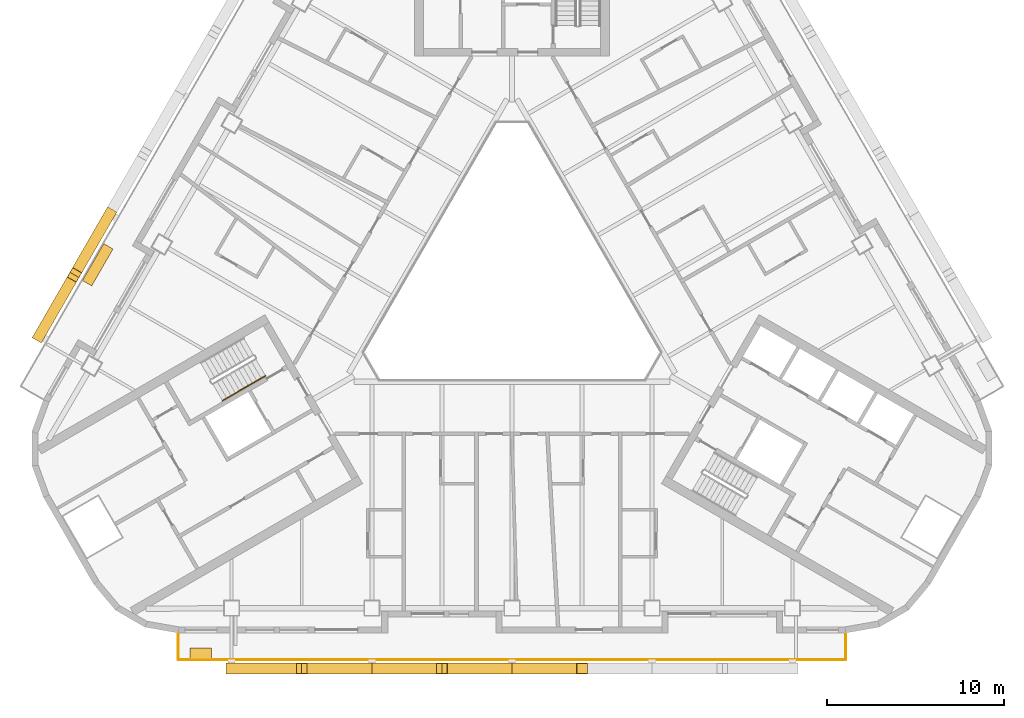
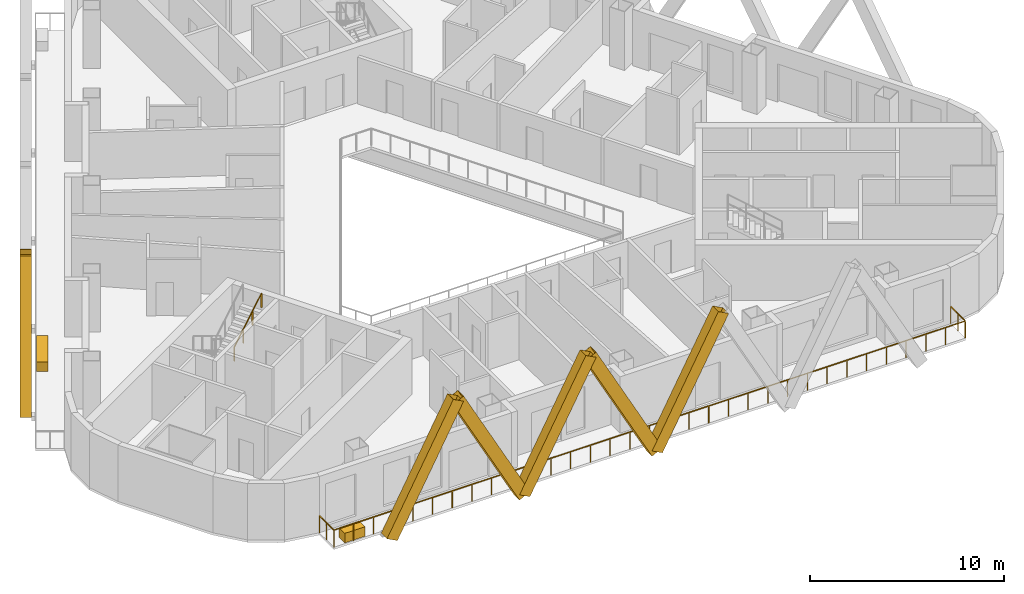
# One storey, part 9 of 14: 7 shading devices, 2 coverings, 2 railings.
"""IFC4 building model written with IfcOpenShell, lengths in metres."""

from ifc_helpers import new_model, si_unit, direction, frame, origin, origin_2d, place, context, subcontext, project, spatial, rectangle, hollow_rectangle, circle, extrude, material, material_profile, profile_set, type_object, element, save


model = new_model("IFC4")

# Units and contexts
model_context = context("Model", 3, precision=1e-05, world=origin(), true_north=direction((0.0, 1.0)))
body_context = subcontext(model_context, "Body", "Model", "MODEL_VIEW")
ifc_project = project(units=[si_unit("LENGTHUNIT", "METRE"), si_unit("AREAUNIT", "SQUARE_METRE"), si_unit("VOLUMEUNIT", "CUBIC_METRE"), si_unit("PLANEANGLEUNIT", "RADIAN"), si_unit("MASSUNIT", "GRAM", prefix="KILO")], contexts=[model_context])

# Site, building, storey
site_placement = place(None, origin())
site = spatial("IfcSite", under=ifc_project, at=site_placement, CompositionType="ELEMENT")
building_placement = place(site_placement, origin())
building = spatial("IfcBuilding", under=site, at=building_placement, Name="Apuvela Tower Hotel", CompositionType="ELEMENT")
storey_placement = place(building_placement, frame((0.0, 0.0, 90.89990234375)))
storey = spatial("IfcBuildingStorey", under=building, at=storey_placement, Name="L20", CompositionType="ELEMENT", Elevation=90.89990234375)

# Railing
ifc_material_1 = material(Name="Stainless steel 316 handrail", Category="steel")
railing_type_1 = type_object("IfcRailingType", Name="COR-HANDRAIL-900", PredefinedType="HANDRAIL", material=ifc_material_1)
railing_1_placement = place(storey_placement, frame((-16.31884765625, -6.534912109375, 2.018310546875)))
element("IfcRailing", 1, at=railing_1_placement, inside=storey, type_object=railing_type_1, Name="L20 ST2 stair handrail 2", PredefinedType="HANDRAIL", context=body_context, shape_type="SweptSolid", body=[
    extrude(circle(Radius=0.02392578125, at=origin_2d()), frame((0.0, 0.0, 0.8759765625), z_axis=(0.742390482028, 0.42860119049, 0.514934356695), x_axis=(-0.49998411664, 0.866034573852, 0.0)), (0.0, 0.0, 1.0), 3.26611328125),
    extrude(rectangle(XDim=0.0419921875, YDim=0.0419921875, at=origin_2d()), origin(), (0.0, 0.0, 1.0), 0.851806640625),
    extrude(rectangle(XDim=0.0419921875, YDim=0.0419921875, at=origin_2d()), frame((0.808349609375, 0.466552734375, 0.560546875)), (0.0, 0.0, 1.0), 0.851806640625),
    extrude(rectangle(XDim=0.0419921875, YDim=0.0419921875, at=origin_2d()), frame((1.616455078125, 0.933349609375, 1.121337890625)), (0.0, 0.0, 1.0), 0.851806640625),
    extrude(rectangle(XDim=0.0419921875, YDim=0.0419921875, at=origin_2d()), frame((2.4248046875, 1.39990234375, 1.681884765625)), (0.0, 0.0, 1.0), 0.851806640625),
])

# Shading devices
ifc_material_2 = material(Name="Aluminium 6063-T6, black anodised", Category="aluminium")
ifc_material_profile = material_profile(ifc_material_2, hollow_rectangle(XDim=0.60009765625, YDim=0.699951171875, WallThickness=0.011962890625, at=origin_2d()), Name="AL BOX 700x600x12")
ifc_profile_set = profile_set([ifc_material_profile], Name="Aluminium 6063-T6, black anodised")
shading_device_type = type_object("IfcShadingDeviceType", Name="ENV-FIN-700x600", PredefinedType="USERDEFINED", material=ifc_profile_set)
for number, where, z_axis, x_axis, name in (
    (2, (-15.800048828125, -21.6298828125, -0.099853515625), (0.470897892863, 0.0, 0.882187720668), (0.0, 1.0, 0.0), "Lattice fin S145"),
    (3, (-7.89990234375, -21.6298828125, -0.099853515625), (-0.470920543904, 0.0, 0.882175629526), (0.0, -1.0, 0.0), "Lattice fin S146"),
    (4, (-7.89990234375, -21.6298828125, -0.099853515625), (0.470897892863, 0.0, 0.882187720668), (0.0, 1.0, 0.0), "Lattice fin S147"),
    (5, (0.0, -21.6298828125, -0.099853515625), (-0.470897892863, 0.0, 0.882187720668), (0.0, -1.0, 0.0), "Lattice fin S148"),
    (6, (0.0, -21.6298828125, -0.099853515625), (0.470897892863, 0.0, 0.882187720668), (0.0, 1.0, 0.0), "Lattice fin S149"),
    (7, (-22.68212890625, 3.973388671875, -0.099853515625), (-0.235433593518, -0.407824887177, 0.882184722404), (0.866047669374, -0.499961432884, 0.0), "Lattice fin NW247"),
    (8, (-26.632080078125, -2.8681640625, -0.099853515625), (0.235463880167, 0.407797827568, 0.882189148067), (-0.866005453737, 0.500034552904, 0.0), "Lattice fin NW248"),
):
    element("IfcShadingDevice", number, at=place(storey_placement, frame(where, z_axis=z_axis, x_axis=x_axis)), inside=storey, type_object=shading_device_type, Name=name, ObjectType="FIN", PredefinedType="USERDEFINED", context=body_context, shape_type="SweptSolid", body=[
        extrude(hollow_rectangle(XDim=0.60009765625, YDim=0.699951171875, WallThickness=0.011962890625, at=origin_2d()), origin(), (0.0, 0.0, 1.0), 8.38818359375),
    ])

# Railing
ifc_material_3 = material(Name="Stainless steel 316 rail with laminated glass infill", Category="steel")
railing_type_2 = type_object("IfcRailingType", Name="ENV-GUARD-1100", PredefinedType="GUARDRAIL", material=ifc_material_3)
railing_2_placement = place(storey_placement, frame((-18.81591796875, -19.6298828125, 0.0)))
element("IfcRailing", 9, at=railing_2_placement, inside=storey, type_object=railing_type_2, Name="Balcony guard S L20", PredefinedType="GUARDRAIL", context=body_context, shape_type="SweptSolid", body=[
    extrude(rectangle(XDim=0.050048828125, YDim=0.050048828125, at=origin_2d()), frame((0.0, 0.0, 1.0751953125), z_axis=(0.0, -1.0, 0.0), x_axis=(1.0, 0.0, 0.0)), (0.0, 0.0, 1.0), 1.5),
    extrude(rectangle(XDim=0.050048828125, YDim=0.050048828125, at=origin_2d()), frame((0.0, -1.5, 1.0751953125), z_axis=(1.0, 0.0, 0.0), x_axis=(0.0, 1.0, 0.0)), (0.0, 0.0, 1.0), 37.6318359375),
    extrude(rectangle(XDim=0.050048828125, YDim=0.050048828125, at=origin_2d()), frame((37.6318359375, -1.5, 1.0751953125), z_axis=(0.0, 1.0, 0.0), x_axis=(-1.0, 0.0, 0.0)), (0.0, 0.0, 1.0), 1.5),
    extrude(rectangle(XDim=0.0400390625, YDim=0.0400390625, at=origin_2d()), origin(), (0.0, 0.0, 1.0), 1.050048828125),
    extrude(rectangle(XDim=0.0400390625, YDim=0.0400390625, at=origin_2d()), frame((0.0, -0.75, 0.0)), (0.0, 0.0, 1.0), 1.050048828125),
    extrude(rectangle(XDim=0.0400390625, YDim=0.0400390625, at=origin_2d()), frame((0.0, -1.5, 0.0)), (0.0, 0.0, 1.0), 1.050048828125),
    extrude(rectangle(XDim=0.0400390625, YDim=0.0400390625, at=origin_2d()), frame((1.176025390625, -1.5, 0.0)), (0.0, 0.0, 1.0), 1.050048828125),
    extrude(rectangle(XDim=0.0400390625, YDim=0.0400390625, at=origin_2d()), frame((2.35205078125, -1.5, 0.0)), (0.0, 0.0, 1.0), 1.050048828125),
    extrude(rectangle(XDim=0.0400390625, YDim=0.0400390625, at=origin_2d()), frame((3.528076171875, -1.5, 0.0)), (0.0, 0.0, 1.0), 1.050048828125),
    extrude(rectangle(XDim=0.0400390625, YDim=0.0400390625, at=origin_2d()), frame((4.7041015625, -1.5, 0.0)), (0.0, 0.0, 1.0), 1.050048828125),
    extrude(rectangle(XDim=0.0400390625, YDim=0.0400390625, at=origin_2d()), frame((5.8798828125, -1.5, 0.0)), (0.0, 0.0, 1.0), 1.050048828125),
    extrude(rectangle(XDim=0.0400390625, YDim=0.0400390625, at=origin_2d()), frame((7.055908203125, -1.5, 0.0)), (0.0, 0.0, 1.0), 1.050048828125),
    extrude(rectangle(XDim=0.0400390625, YDim=0.0400390625, at=origin_2d()), frame((8.23193359375, -1.5, 0.0)), (0.0, 0.0, 1.0), 1.050048828125),
    extrude(rectangle(XDim=0.0400390625, YDim=0.0400390625, at=origin_2d()), frame((9.407958984375, -1.5, 0.0)), (0.0, 0.0, 1.0), 1.050048828125),
    extrude(rectangle(XDim=0.0400390625, YDim=0.0400390625, at=origin_2d()), frame((10.583984375, -1.5, 0.0)), (0.0, 0.0, 1.0), 1.050048828125),
    extrude(rectangle(XDim=0.0400390625, YDim=0.0400390625, at=origin_2d()), frame((11.760009765625, -1.5, 0.0)), (0.0, 0.0, 1.0), 1.050048828125),
    extrude(rectangle(XDim=0.0400390625, YDim=0.0400390625, at=origin_2d()), frame((12.93603515625, -1.5, 0.0)), (0.0, 0.0, 1.0), 1.050048828125),
    extrude(rectangle(XDim=0.0400390625, YDim=0.0400390625, at=origin_2d()), frame((14.11181640625, -1.5, 0.0)), (0.0, 0.0, 1.0), 1.050048828125),
    extrude(rectangle(XDim=0.0400390625, YDim=0.0400390625, at=origin_2d()), frame((15.287841796875, -1.5, 0.0)), (0.0, 0.0, 1.0), 1.050048828125),
    extrude(rectangle(XDim=0.0400390625, YDim=0.0400390625, at=origin_2d()), frame((16.4638671875, -1.5, 0.0)), (0.0, 0.0, 1.0), 1.050048828125),
    extrude(rectangle(XDim=0.0400390625, YDim=0.0400390625, at=origin_2d()), frame((17.639892578125, -1.5, 0.0)), (0.0, 0.0, 1.0), 1.050048828125),
    extrude(rectangle(XDim=0.0400390625, YDim=0.0400390625, at=origin_2d()), frame((18.81591796875, -1.5, 0.0)), (0.0, 0.0, 1.0), 1.050048828125),
    extrude(rectangle(XDim=0.0400390625, YDim=0.0400390625, at=origin_2d()), frame((19.991943359375, -1.5, 0.0)), (0.0, 0.0, 1.0), 1.050048828125),
    extrude(rectangle(XDim=0.0400390625, YDim=0.0400390625, at=origin_2d()), frame((21.16796875, -1.5, 0.0)), (0.0, 0.0, 1.0), 1.050048828125),
    extrude(rectangle(XDim=0.0400390625, YDim=0.0400390625, at=origin_2d()), frame((22.343994140625, -1.5, 0.0)), (0.0, 0.0, 1.0), 1.050048828125),
    extrude(rectangle(XDim=0.0400390625, YDim=0.0400390625, at=origin_2d()), frame((23.52001953125, -1.5, 0.0)), (0.0, 0.0, 1.0), 1.050048828125),
    extrude(rectangle(XDim=0.0400390625, YDim=0.0400390625, at=origin_2d()), frame((24.69580078125, -1.5, 0.0)), (0.0, 0.0, 1.0), 1.050048828125),
    extrude(rectangle(XDim=0.0400390625, YDim=0.0400390625, at=origin_2d()), frame((25.871826171875, -1.5, 0.0)), (0.0, 0.0, 1.0), 1.050048828125),
    extrude(rectangle(XDim=0.0400390625, YDim=0.0400390625, at=origin_2d()), frame((27.0478515625, -1.5, 0.0)), (0.0, 0.0, 1.0), 1.050048828125),
    extrude(rectangle(XDim=0.0400390625, YDim=0.0400390625, at=origin_2d()), frame((28.223876953125, -1.5, 0.0)), (0.0, 0.0, 1.0), 1.050048828125),
    extrude(rectangle(XDim=0.0400390625, YDim=0.0400390625, at=origin_2d()), frame((29.39990234375, -1.5, 0.0)), (0.0, 0.0, 1.0), 1.050048828125),
    extrude(rectangle(XDim=0.0400390625, YDim=0.0400390625, at=origin_2d()), frame((30.575927734375, -1.5, 0.0)), (0.0, 0.0, 1.0), 1.050048828125),
    extrude(rectangle(XDim=0.0400390625, YDim=0.0400390625, at=origin_2d()), frame((31.751953125, -1.5, 0.0)), (0.0, 0.0, 1.0), 1.050048828125),
    extrude(rectangle(XDim=0.0400390625, YDim=0.0400390625, at=origin_2d()), frame((32.927734375, -1.5, 0.0)), (0.0, 0.0, 1.0), 1.050048828125),
    extrude(rectangle(XDim=0.0400390625, YDim=0.0400390625, at=origin_2d()), frame((34.103759765625, -1.5, 0.0)), (0.0, 0.0, 1.0), 1.050048828125),
    extrude(rectangle(XDim=0.0400390625, YDim=0.0400390625, at=origin_2d()), frame((35.27978515625, -1.5, 0.0)), (0.0, 0.0, 1.0), 1.050048828125),
    extrude(rectangle(XDim=0.0400390625, YDim=0.0400390625, at=origin_2d()), frame((36.455810546875, -1.5, 0.0)), (0.0, 0.0, 1.0), 1.050048828125),
    extrude(rectangle(XDim=0.0400390625, YDim=0.0400390625, at=origin_2d()), frame((37.6318359375, -1.5, 0.0)), (0.0, 0.0, 1.0), 1.050048828125),
    extrude(rectangle(XDim=0.0400390625, YDim=0.0400390625, at=origin_2d()), frame((37.6318359375, -0.75, 0.0)), (0.0, 0.0, 1.0), 1.050048828125),
    extrude(rectangle(XDim=0.0400390625, YDim=0.0400390625, at=origin_2d()), frame((37.6318359375, 0.0, 0.0)), (0.0, 0.0, 1.0), 1.050048828125),
])

# Coverings
ifc_material_4 = material(Name="Planting substrate and soil, planted")
covering_type_1 = type_object("IfcCoveringType", Name="ENV-PLANTER-1200x600", PredefinedType="USERDEFINED", material=ifc_material_4)
covering_1_placement = place(storey_placement, frame((-17.53515625, -20.780029296875, 0.0), z_axis=(0.0, 0.0, 1.0), x_axis=(1.0, 0.0, 0.0)))
element("IfcCovering", 10, at=covering_1_placement, inside=storey, type_object=covering_type_1, Name="Planter S1", ObjectType="PLANTER", PredefinedType="USERDEFINED", context=body_context, shape_type="SweptSolid", body=[
    extrude(rectangle(XDim=1.199951171875, YDim=0.60009765625, at=origin_2d()), origin(), (0.0, 0.0, 1.0), 0.60009765625),
])
covering_type_2 = type_object("IfcCoveringType", Name="ENV-PLANTER-2400x600", PredefinedType="USERDEFINED", material=ifc_material_4)
covering_2_placement = place(storey_placement, frame((-23.345947265625, 1.12353515625, 0.0), z_axis=(0.0, 0.0, 1.0), x_axis=(-0.5, -0.866025403784, 0.0)))
element("IfcCovering", 11, at=covering_2_placement, inside=storey, type_object=covering_type_2, Name="Planter NW4", ObjectType="PLANTER", PredefinedType="USERDEFINED", context=body_context, shape_type="SweptSolid", body=[
    extrude(rectangle(XDim=2.39990234375, YDim=0.60009765625, at=origin_2d()), origin(), (0.0, 0.0, 1.0), 0.60009765625),
])

save(model, "model.ifc")
